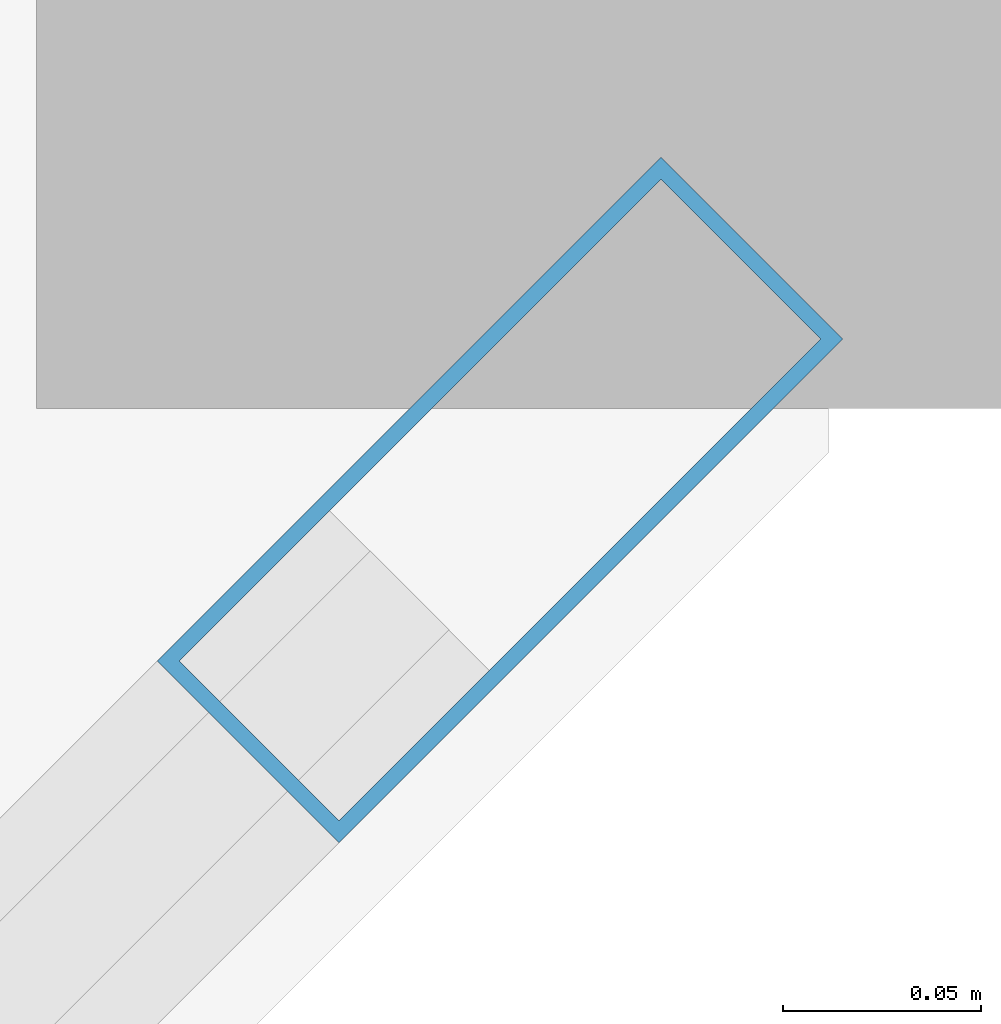
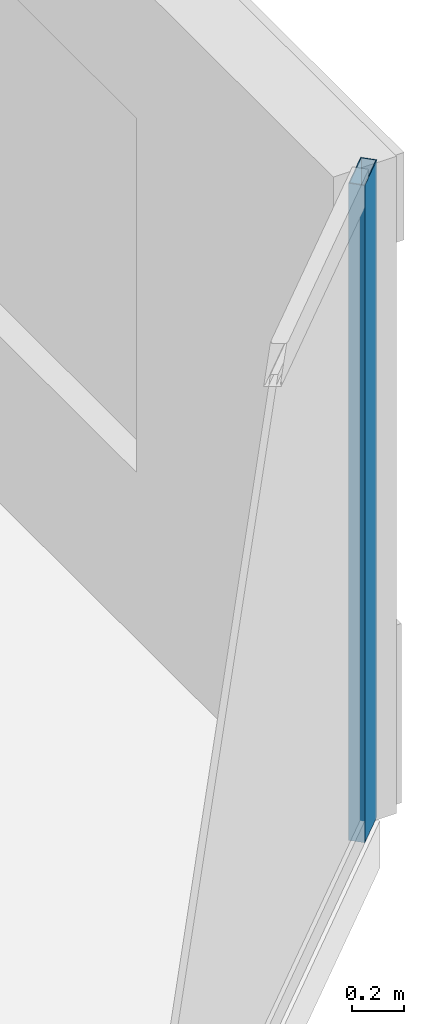
# One storey, part 15 of 34: 1 member, 1 element without a shape of its own.
"""IFC4 building model written with IfcOpenShell, lengths in metres."""

from ifc_helpers import new_model, si_unit, direction, frame, origin, origin_2d, place, context, subcontext, project, spatial, hollow_rectangle, extrude, material, layer, layer_set, material_profile, profile_set, type_object, element, aggregate, save


model = new_model("IFC4")

# Units and contexts
model_context = context("Model", 3, precision=1e-05, world=origin(), true_north=direction((0.0, 1.0)))
body_context = subcontext(model_context, "Body", "Model", "MODEL_VIEW")
ifc_project = project(units=[si_unit("LENGTHUNIT", "METRE"), si_unit("AREAUNIT", "SQUARE_METRE"), si_unit("VOLUMEUNIT", "CUBIC_METRE"), si_unit("PLANEANGLEUNIT", "RADIAN"), si_unit("MASSUNIT", "GRAM", prefix="KILO")], contexts=[model_context])

# Site, building, storey
site_placement = place(None, origin())
site = spatial("IfcSite", under=ifc_project, at=site_placement, CompositionType="ELEMENT")
building_placement = place(site_placement, origin())
building = spatial("IfcBuilding", under=site, at=building_placement, Name="Tanjung Sevakor Pilgrim Tower", CompositionType="ELEMENT")
storey_placement = place(building_placement, frame((0.0, 0.0, 55.43994140625)))
storey = spatial("IfcBuildingStorey", under=building, at=storey_placement, Name="L15", CompositionType="ELEMENT", Elevation=55.43994140625)

# Curtain wall, member
ifc_material_1 = material(Name="Aluminium 6063-T6 and Low-E Glass", Category="aluminium")
ifc_layer = layer(ifc_material_1, 0.179931640625)
ifc_layer_set = layer_set([ifc_layer], Name="CW-SYS-CHAM")
curtain_wall_type = type_object("IfcCurtainWallType", Name="CW-SYS-CHAM", PredefinedType="NOTDEFINED", material=ifc_layer_set)
curtain_wall_placement = place(storey_placement, origin())
curtain_wall = element("IfcCurtainWall", 1, at=curtain_wall_placement, inside=storey, type_object=curtain_wall_type, Name="L15 Curtain Wall CW-CHM-L15-MAIN-5", PredefinedType="NOTDEFINED")
ifc_material_2 = material(Name="Aluminium 6063-T6", Category="aluminium")
ifc_material_profile = material_profile(ifc_material_2, hollow_rectangle(XDim=0.06494140625, YDim=0.179931640625, WallThickness=0.00390625, at=origin_2d()))
ifc_profile_set = profile_set([ifc_material_profile], Name="Aluminium 6063-T6")
member_type = type_object("IfcMemberType", Name="TYPE-CWM-1", PredefinedType="MULLION", material=ifc_profile_set)
member_placement = place(storey_placement, frame((100.636962890625, 11.8349609375, 0.0), z_axis=(0.0, 0.0, 1.0), x_axis=(-0.707106781187, 0.707106781187, 0.0)))
member = element("IfcMember", 2, at=member_placement, type_object=member_type, Name="CW-CHM mullion 2", PredefinedType="MULLION", context=body_context, shape_type="SweptSolid", body=[
    extrude(hollow_rectangle(XDim=0.06494140625, YDim=0.179931640625, WallThickness=0.00390625, at=origin_2d()), origin(), (0.0, 0.0, 1.0), 3.080078125),
])
aggregate(curtain_wall, [member])

save(model, "model.ifc")
